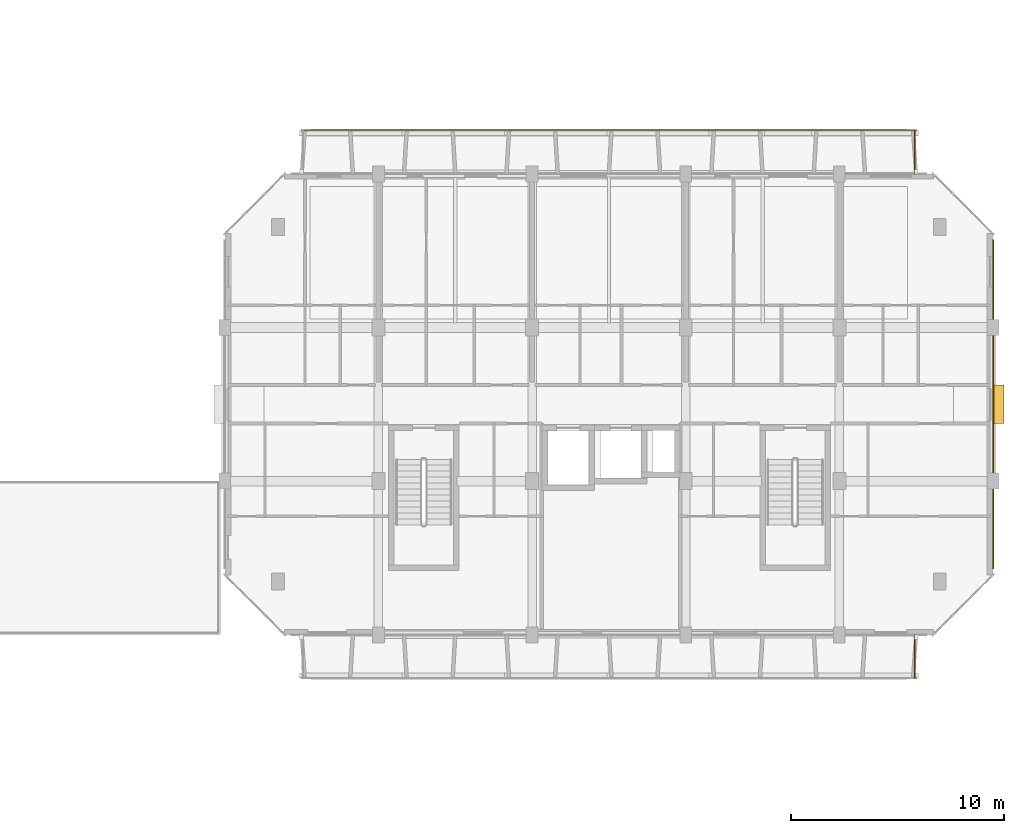
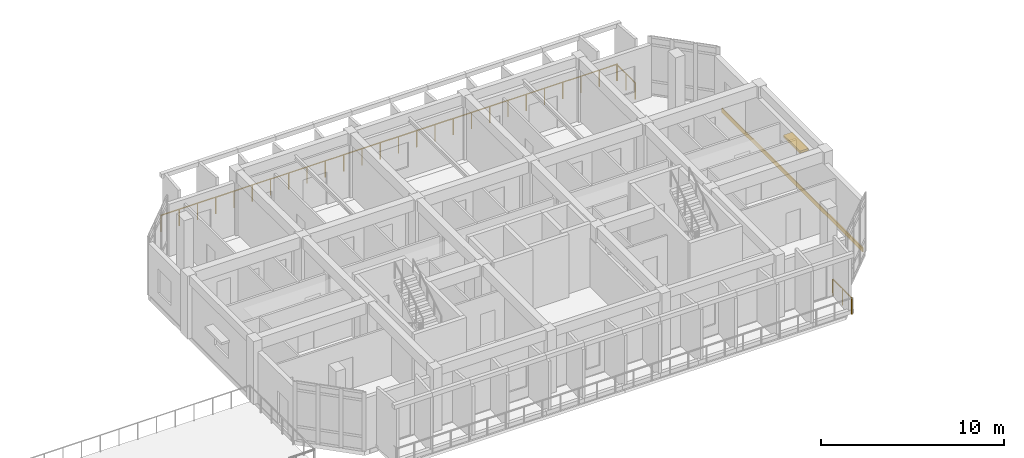
# One storey, part 85 of 85: 3 railings, 1 covering, 1 shading device.
"""IFC4 building model written with IfcOpenShell, lengths in metres."""

from ifc_helpers import new_model, si_unit, direction, frame, origin, origin_2d, place, context, subcontext, project, spatial, rectangle, circle, extrude, material, layer, layer_set, type_object, element, save


model = new_model("IFC4")

# Units and contexts
model_context = context("Model", 3, precision=1e-05, world=origin(), true_north=direction((0.0, 1.0)))
body_context = subcontext(model_context, "Body", "Model", "MODEL_VIEW")
ifc_project = project(units=[si_unit("LENGTHUNIT", "METRE"), si_unit("AREAUNIT", "SQUARE_METRE"), si_unit("VOLUMEUNIT", "CUBIC_METRE"), si_unit("PLANEANGLEUNIT", "RADIAN"), si_unit("MASSUNIT", "GRAM", prefix="KILO")], contexts=[model_context])

# Site, building, storey
site_placement = place(None, origin())
site = spatial("IfcSite", under=ifc_project, at=site_placement, CompositionType="ELEMENT")
building_placement = place(site_placement, origin())
building = spatial("IfcBuilding", under=site, at=building_placement, Name="Ochrevale Crest", CompositionType="ELEMENT")
storey_placement = place(building_placement, frame((0.0, 0.0, 4.5)))
storey = spatial("IfcBuildingStorey", under=building, at=storey_placement, Name="L01", CompositionType="ELEMENT", Elevation=4.5)

# Covering
ifc_material_1 = material(Name="Glazed terracotta rainscreen tile", Category="masonry")
ifc_layer = layer(ifc_material_1, 0.048095703125)
ifc_layer_set = layer_set([ifc_layer], Name="Glazed terracotta rainscreen tile")
covering_type = type_object("IfcCoveringType", Name="COV-CLAD-TER", PredefinedType="CLADDING", material=ifc_layer_set)
covering_placement = place(storey_placement, frame((165.614501953125, 82.800048828125, -0.26025390625), z_axis=(0.0, 0.0, 1.0), x_axis=(0.0, 1.0, 0.0)))
element("IfcCovering", 1, at=covering_placement, inside=storey, type_object=covering_type, Name="Block D L01 terracotta slab-edge spandrel cladding", PredefinedType="CLADDING", context=body_context, shape_type="SweptSolid", body=[
    extrude(rectangle(XDim=15.39990234375, YDim=0.06005859375, at=origin_2d()), origin(), (0.0, 0.0, 1.0), 0.280029296875),
])

# Railings
ifc_material_2 = material(Name="Galvanised steel", Category="steel")
railing_type = type_object("IfcRailingType", Name="RL-BAL-1100", PredefinedType="BALUSTRADE", material=ifc_material_2)
railing_1_placement = place(storey_placement, frame((161.93994140625, 72.0, 0.0)))
element("IfcRailing", 2, at=railing_1_placement, inside=storey, type_object=railing_type, Name="Block D L01 S-E balcony side guard", PredefinedType="BALUSTRADE", context=body_context, shape_type="SweptSolid", body=[
    extrude(circle(Radius=0.02392578125, at=origin_2d()), frame((0.0, 0.0, 1.0859375), z_axis=(0.0, -1.0, 0.0), x_axis=(1.0, 0.0, 0.0)), (0.0, 0.0, 1.0), 2.0400390625),
    extrude(circle(Radius=0.02099609375, at=origin_2d()), origin(), (0.0, 0.0, 1.0), 1.06201171875),
    extrude(circle(Radius=0.02099609375, at=origin_2d()), frame((0.0, -1.02001953125, 0.0)), (0.0, 0.0, 1.0), 1.06201171875),
    extrude(circle(Radius=0.02099609375, at=origin_2d()), frame((0.0, -2.0400390625, 0.0)), (0.0, 0.0, 1.0), 1.06201171875),
])
railing_2_placement = place(storey_placement, frame((133.199951171875, 95.639892578125, 0.0)))
element("IfcRailing", 3, at=railing_2_placement, inside=storey, type_object=railing_type, Name="Block D L01 N balcony front balustrade", PredefinedType="BALUSTRADE", context=body_context, shape_type="SweptSolid", body=[
    extrude(circle(Radius=0.02392578125, at=origin_2d()), frame((0.0, 0.0, 1.0859375), z_axis=(1.0, 0.0, 0.0), x_axis=(0.0, 1.0, 0.0)), (0.0, 0.0, 1.0), 28.800048828125),
    extrude(circle(Radius=0.02099609375, at=origin_2d()), origin(), (0.0, 0.0, 1.0), 1.06201171875),
    extrude(circle(Radius=0.02099609375, at=origin_2d()), frame((1.152099609375, 0.0, 0.0)), (0.0, 0.0, 1.0), 1.06201171875),
    extrude(circle(Radius=0.02099609375, at=origin_2d()), frame((2.303955078125, 0.0, 0.0)), (0.0, 0.0, 1.0), 1.06201171875),
    extrude(circle(Radius=0.02099609375, at=origin_2d()), frame((3.4560546875, 0.0, 0.0)), (0.0, 0.0, 1.0), 1.06201171875),
    extrude(circle(Radius=0.02099609375, at=origin_2d()), frame((4.60791015625, 0.0, 0.0)), (0.0, 0.0, 1.0), 1.06201171875),
    extrude(circle(Radius=0.02099609375, at=origin_2d()), frame((5.760009765625, 0.0, 0.0)), (0.0, 0.0, 1.0), 1.06201171875),
    extrude(circle(Radius=0.02099609375, at=origin_2d()), frame((6.912109375, 0.0, 0.0)), (0.0, 0.0, 1.0), 1.06201171875),
    extrude(circle(Radius=0.02099609375, at=origin_2d()), frame((8.06396484375, 0.0, 0.0)), (0.0, 0.0, 1.0), 1.06201171875),
    extrude(circle(Radius=0.02099609375, at=origin_2d()), frame((9.216064453125, 0.0, 0.0)), (0.0, 0.0, 1.0), 1.06201171875),
    extrude(circle(Radius=0.02099609375, at=origin_2d()), frame((10.367919921875, 0.0, 0.0)), (0.0, 0.0, 1.0), 1.06201171875),
    extrude(circle(Radius=0.02099609375, at=origin_2d()), frame((11.52001953125, 0.0, 0.0)), (0.0, 0.0, 1.0), 1.06201171875),
    extrude(circle(Radius=0.02099609375, at=origin_2d()), frame((12.672119140625, 0.0, 0.0)), (0.0, 0.0, 1.0), 1.06201171875),
    extrude(circle(Radius=0.02099609375, at=origin_2d()), frame((13.823974609375, 0.0, 0.0)), (0.0, 0.0, 1.0), 1.06201171875),
    extrude(circle(Radius=0.02099609375, at=origin_2d()), frame((14.97607421875, 0.0, 0.0)), (0.0, 0.0, 1.0), 1.06201171875),
    extrude(circle(Radius=0.02099609375, at=origin_2d()), frame((16.1279296875, 0.0, 0.0)), (0.0, 0.0, 1.0), 1.06201171875),
    extrude(circle(Radius=0.02099609375, at=origin_2d()), frame((17.280029296875, 0.0, 0.0)), (0.0, 0.0, 1.0), 1.06201171875),
    extrude(circle(Radius=0.02099609375, at=origin_2d()), frame((18.43212890625, 0.0, 0.0)), (0.0, 0.0, 1.0), 1.06201171875),
    extrude(circle(Radius=0.02099609375, at=origin_2d()), frame((19.583984375, 0.0, 0.0)), (0.0, 0.0, 1.0), 1.06201171875),
    extrude(circle(Radius=0.02099609375, at=origin_2d()), frame((20.736083984375, 0.0, 0.0)), (0.0, 0.0, 1.0), 1.06201171875),
    extrude(circle(Radius=0.02099609375, at=origin_2d()), frame((21.887939453125, 0.0, 0.0)), (0.0, 0.0, 1.0), 1.06201171875),
    extrude(circle(Radius=0.02099609375, at=origin_2d()), frame((23.0400390625, 0.0, 0.0)), (0.0, 0.0, 1.0), 1.06201171875),
    extrude(circle(Radius=0.02099609375, at=origin_2d()), frame((24.192138671875, 0.0, 0.0)), (0.0, 0.0, 1.0), 1.06201171875),
    extrude(circle(Radius=0.02099609375, at=origin_2d()), frame((25.343994140625, 0.0, 0.0)), (0.0, 0.0, 1.0), 1.06201171875),
    extrude(circle(Radius=0.02099609375, at=origin_2d()), frame((26.49609375, 0.0, 0.0)), (0.0, 0.0, 1.0), 1.06201171875),
    extrude(circle(Radius=0.02099609375, at=origin_2d()), frame((27.64794921875, 0.0, 0.0)), (0.0, 0.0, 1.0), 1.06201171875),
    extrude(circle(Radius=0.02099609375, at=origin_2d()), frame((28.800048828125, 0.0, 0.0)), (0.0, 0.0, 1.0), 1.06201171875),
])
railing_3_placement = place(storey_placement, frame((161.93994140625, 93.60009765625, 0.0)))
element("IfcRailing", 4, at=railing_3_placement, inside=storey, type_object=railing_type, Name="Block D L01 N-E balcony side guard", PredefinedType="BALUSTRADE", context=body_context, shape_type="SweptSolid", body=[
    extrude(circle(Radius=0.02392578125, at=origin_2d()), frame((0.0, 0.0, 1.0859375), z_axis=(0.0, 1.0, 0.0), x_axis=(-1.0, 0.0, 0.0)), (0.0, 0.0, 1.0), 2.039794921875),
    extrude(circle(Radius=0.02099609375, at=origin_2d()), origin(), (0.0, 0.0, 1.0), 1.06201171875),
    extrude(circle(Radius=0.02099609375, at=origin_2d()), frame((0.0, 1.02001953125, 0.0)), (0.0, 0.0, 1.0), 1.06201171875),
    extrude(circle(Radius=0.02099609375, at=origin_2d()), frame((0.0, 2.039794921875, 0.0)), (0.0, 0.0, 1.0), 1.06201171875),
])

# Shading device
ifc_material_3 = material(Name="Anodised aluminium 6063-T5", Category="aluminium")
shading_device_type = type_object("IfcShadingDeviceType", Name="SHD-SUNSHADE-OC", PredefinedType="USERDEFINED", material=ifc_material_3)
shading_device_placement = place(storey_placement, frame((165.840087890625, 82.800048828125, 2.2099609375), z_axis=(0.0, 0.0, 1.0), x_axis=(1.0, 0.0, 0.0)))
element("IfcShadingDevice", 5, at=shading_device_placement, inside=storey, type_object=shading_device_type, Name="Block D L01 gable window sunshade E", ObjectType="HORIZONTAL SUNSHADE", PredefinedType="USERDEFINED", context=body_context, shape_type="SweptSolid", body=[
    extrude(rectangle(XDim=0.550048828125, YDim=1.800048828125, at=origin_2d()), origin(), (0.0, 0.0, 1.0), 0.139892578125),
])

save(model, "model.ifc")
